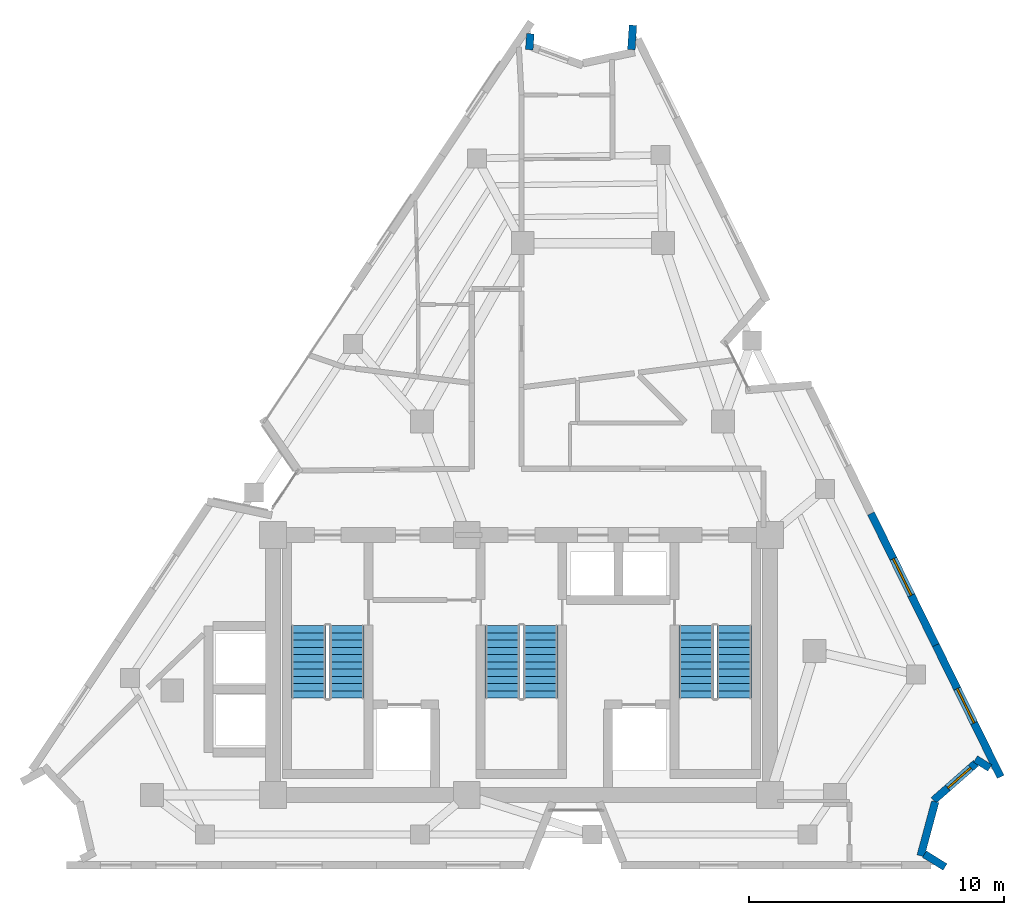
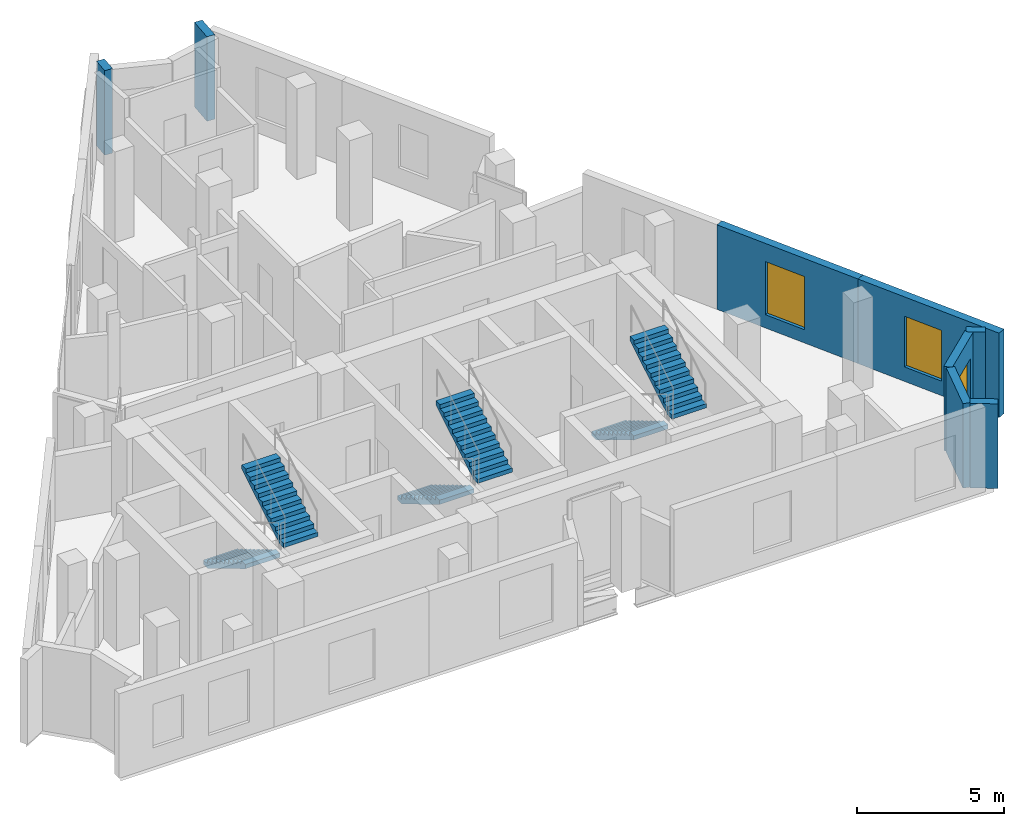
# One storey, part 7 of 8: 8 walls, 6 stair flights, 3 windows, 3 openings, 3 elements without a shape of their own.
"""IFC4 building model written with IfcOpenShell, lengths in metres."""

from ifc_helpers import new_model, si_unit, direction, frame, frame_2d, origin, place, context, subcontext, project, spatial, polyline, rectangle, outline, extrude, material, layer, layer_set, type_object, element, fill, aggregate, save


model = new_model("IFC4")

# Units and contexts
model_context = context("Model", 3, precision=1e-05, world=origin(), true_north=direction((0.0, 1.0)))
body_context = subcontext(model_context, "Body", "Model", "MODEL_VIEW")
ifc_project = project(units=[si_unit("LENGTHUNIT", "METRE"), si_unit("AREAUNIT", "SQUARE_METRE"), si_unit("VOLUMEUNIT", "CUBIC_METRE"), si_unit("PLANEANGLEUNIT", "RADIAN"), si_unit("MASSUNIT", "GRAM", prefix="KILO")], contexts=[model_context])

# Site, building, storey
site_placement = place(None, origin())
site = spatial("IfcSite", under=ifc_project, at=site_placement, CompositionType="ELEMENT")
building_placement = place(site_placement, origin())
building = spatial("IfcBuilding", under=site, at=building_placement, Name="Almagre Mirador Tower", CompositionType="ELEMENT")
storey_placement = place(building_placement, frame((0.0, 0.0, 282.0)))
storey = spatial("IfcBuildingStorey", under=building, at=storey_placement, Name="L73", CompositionType="ELEMENT", Elevation=282.0)

# Walls
ifc_material_1 = material(Name="Precast concrete C50/60", Category="concrete")
ifc_layer = layer(ifc_material_1, 0.300048828125)
ifc_layer_set = layer_set([ifc_layer], Name="Precast concrete C50/60")
wall_type = type_object("IfcWallType", Name="WAL-EXT-300", PredefinedType="SOLIDWALL", material=ifc_layer_set)
wall_1_placement = place(storey_placement, frame((37.649169921875, 34.4189453125, 0.0), z_axis=(0.0, 0.0, 1.0), x_axis=(-0.065490172125, -0.997853214333, 0.0)))
element("IfcWall", 1, at=wall_1_placement, inside=storey, type_object=wall_type, Name="L73 expressed almagre precast frame wall 05", PredefinedType="SOLIDWALL", context=body_context, shape_type="SweptSolid", body=[
    extrude(rectangle(XDim=0.630126953125, YDim=0.300048828125, at=frame_2d((0.31494140625, 0.0))), origin(), (0.0, 0.0, 1.0), 3.5),
])
wall_2_placement = place(storey_placement, frame((41.611083984375, 33.792724609375, 0.0), z_axis=(0.0, 0.0, 1.0), x_axis=(0.065860770899, 0.997828822422, 0.0)))
element("IfcWall", 2, at=wall_2_placement, inside=storey, type_object=wall_type, Name="L73 expressed almagre precast frame wall 08", PredefinedType="SOLIDWALL", context=body_context, shape_type="SweptSolid", body=[
    extrude(rectangle(XDim=0.960205078125, YDim=0.300048828125, at=frame_2d((0.47998046875, 0.0))), origin(), (0.0, 0.0, 1.0), 3.5),
])

# Wall, opening, window
wall_3_placement = place(storey_placement, frame((51.01708984375, 15.593505859375, 0.0), z_axis=(0.0, 0.0, 1.0), x_axis=(0.441265341282, -0.897376675975, 0.0)))
wall_3 = element("IfcWall", 3, at=wall_3_placement, inside=storey, type_object=wall_type, Name="L73 expressed almagre precast frame wall 14", PredefinedType="SOLIDWALL", context=body_context, shape_type="SweptSolid", body=[
    extrude(rectangle(XDim=5.755615234375, YDim=0.300048828125, at=frame_2d((2.8779296875, 0.0))), origin(), (0.0, 0.0, 1.0), 3.5),
])
opening_1_placement = place(wall_3_placement, frame((1.97509765625, 0.0, 0.550048828125)))
opening_1 = element("IfcOpeningElement", 4, at=opening_1_placement, cuts=wall_3, Name="Opening WN-06", PredefinedType="OPENING", context=body_context, shape_type="SweptSolid", body=[
    extrude(rectangle(XDim=1.60009765625, YDim=2.199951171875, at=frame_2d((0.800048828125, 1.10009765625))), frame((0.0, 0.159902, 0.0), z_axis=(0.0, -1.0, 0.0), x_axis=(1.0, 0.0, 0.0)), (0.0, 0.0, 1.0), 0.320049),
])
ifc_material_2 = material(Name="Dark solar-control laminated hurricane glass", Category="glass")
window_type_1 = type_object("IfcWindowType", Name="WIN-1600X2200", PartitioningType="DOUBLE_PANEL_VERTICAL", PredefinedType="WINDOW", material=ifc_material_2)
window_1_placement = place(opening_1_placement, origin())
window_1 = element("IfcWindow", 5, at=window_1_placement, inside=storey, type_object=window_type_1, Name="L73 recessed hurricane window L73-UG-KT", OverallHeight=2.199951171875, OverallWidth=1.60009765625, PartitioningType="SINGLE_PANEL", PredefinedType="WINDOW", context=body_context, shape_type="SweptSolid", body=[
    extrude(rectangle(XDim=1.60009765625, YDim=2.199951171875, at=frame_2d((0.800048828125, 1.10009765625))), frame((0.0, 0.030029296875, 0.0), z_axis=(0.0, -1.0, 0.0), x_axis=(1.0, 0.0, 0.0)), (0.0, 0.0, 1.0), 0.06005859375),
])
fill(opening_1, window_1)

wall_4_placement = place(storey_placement, frame((53.556884765625, 10.428466796875, 0.0), z_axis=(0.0, 0.0, 1.0), x_axis=(0.441265341282, -0.897376675975, 0.0)))
wall_4 = element("IfcWall", 6, at=wall_4_placement, inside=storey, type_object=wall_type, Name="L73 expressed almagre precast frame wall 15", PredefinedType="SOLIDWALL", context=body_context, shape_type="SweptSolid", body=[
    extrude(rectangle(XDim=5.755615234375, YDim=0.300048828125, at=frame_2d((2.8779296875, 0.0))), origin(), (0.0, 0.0, 1.0), 3.5),
])
opening_2_placement = place(wall_4_placement, frame((1.89990234375, 0.0, 0.60009765625)))
opening_2 = element("IfcOpeningElement", 7, at=opening_2_placement, cuts=wall_4, Name="Opening WN-03", PredefinedType="OPENING", context=body_context, shape_type="SweptSolid", body=[
    extrude(rectangle(XDim=1.5, YDim=2.10009765625, at=frame_2d((0.75, 1.050048828125))), frame((0.0, 0.159902, 0.0), z_axis=(0.0, -1.0, 0.0), x_axis=(1.0, 0.0, 0.0)), (0.0, 0.0, 1.0), 0.320049),
])
ifc_material_3 = material(Name="Dark solar-control laminated hurricane glass", Category="glass")
window_type_2 = type_object("IfcWindowType", Name="WIN-1500X2100", PartitioningType="DOUBLE_PANEL_VERTICAL", PredefinedType="WINDOW", material=ifc_material_3)
window_2_placement = place(opening_2_placement, origin())
window_2 = element("IfcWindow", 8, at=window_2_placement, inside=storey, type_object=window_type_2, Name="L73 recessed hurricane window L73-UC-KT", OverallHeight=2.10009765625, OverallWidth=1.5, PartitioningType="SINGLE_PANEL", PredefinedType="WINDOW", context=body_context, shape_type="SweptSolid", body=[
    extrude(rectangle(XDim=1.5, YDim=2.10009765625, at=frame_2d((0.75, 1.050048828125))), frame((0.0, 0.030029296875, 0.0), z_axis=(0.0, -1.0, 0.0), x_axis=(1.0, 0.0, 0.0)), (0.0, 0.0, 1.0), 0.06005859375),
])
fill(opening_2, window_2)

# Wall
wall_5_placement = place(storey_placement, frame((55.67431640625, 5.61376953125, 0.0), z_axis=(0.0, 0.0, 1.0), x_axis=(-0.848455116915, 0.529267337535, 0.0)))
element("IfcWall", 9, at=wall_5_placement, inside=storey, type_object=wall_type, Name="L73 expressed almagre precast frame wall 16", PredefinedType="SOLIDWALL", context=body_context, shape_type="SweptSolid", body=[
    extrude(rectangle(XDim=0.66015625, YDim=0.300048828125, at=frame_2d((0.330078125, 0.0))), origin(), (0.0, 0.0, 1.0), 3.5),
])

# Wall, opening, window
wall_6_placement = place(storey_placement, frame((55.13525390625, 5.80322265625, 0.0), z_axis=(0.0, 0.0, 1.0), x_axis=(-0.751744762281, -0.659454177622, 0.0)))
wall_6 = element("IfcWall", 10, at=wall_6_placement, inside=storey, type_object=wall_type, Name="L73 expressed almagre precast frame wall 17", PredefinedType="SOLIDWALL", context=body_context, shape_type="SweptSolid", body=[
    extrude(rectangle(XDim=2.219482421875, YDim=0.300048828125, at=frame_2d((1.10986328125, 0.0))), origin(), (0.0, 0.0, 1.0), 3.5),
])
opening_3_placement = place(wall_6_placement, frame((0.280029296875, 0.0, 0.800048828125)))
opening_3 = element("IfcOpeningElement", 11, at=opening_3_placement, cuts=wall_6, Name="Opening WN-04", PredefinedType="OPENING", context=body_context, shape_type="SweptSolid", body=[
    extrude(rectangle(XDim=1.199951171875, YDim=1.800048828125, at=frame_2d((0.60009765625, 0.89990234375))), frame((0.0, 0.159902, 0.0), z_axis=(0.0, -1.0, 0.0), x_axis=(1.0, 0.0, 0.0)), (0.0, 0.0, 1.0), 0.320049),
])
ifc_material_4 = material(Name="Dark solar-control laminated hurricane glass", Category="glass")
window_type_3 = type_object("IfcWindowType", Name="WIN-1200X1800", PartitioningType="SINGLE_PANEL", PredefinedType="WINDOW", material=ifc_material_4)
window_3_placement = place(opening_3_placement, origin())
window_3 = element("IfcWindow", 12, at=window_3_placement, inside=storey, type_object=window_type_3, Name="L73 recessed hurricane window L73-UC-KT", OverallHeight=1.800048828125, OverallWidth=1.199951171875, PartitioningType="SINGLE_PANEL", PredefinedType="WINDOW", context=body_context, shape_type="SweptSolid", body=[
    extrude(rectangle(XDim=1.199951171875, YDim=1.800048828125, at=frame_2d((0.60009765625, 0.89990234375))), frame((0.0, 0.030029296875, 0.0), z_axis=(0.0, -1.0, 0.0), x_axis=(1.0, 0.0, 0.0)), (0.0, 0.0, 1.0), 0.06005859375),
])
fill(opening_3, window_3)

# Walls
wall_7_placement = place(storey_placement, frame((53.532958984375, 4.287109375, 0.0), z_axis=(0.0, 0.0, 1.0), x_axis=(-0.259818176463, -0.965657555855, 0.0)))
element("IfcWall", 13, at=wall_7_placement, inside=storey, type_object=wall_type, Name="L73 expressed almagre precast frame wall 18", PredefinedType="SOLIDWALL", context=body_context, shape_type="SweptSolid", body=[
    extrude(rectangle(XDim=2.19873046875, YDim=0.300048828125, at=frame_2d((1.099365234375, 0.0))), origin(), (0.0, 0.0, 1.0), 3.5),
])
wall_8_placement = place(storey_placement, frame((53.1083984375, 2.23046875, 0.0), z_axis=(0.0, 0.0, 1.0), x_axis=(0.849031111495, -0.528342854322, 0.0)))
element("IfcWall", 14, at=wall_8_placement, inside=storey, type_object=wall_type, Name="L73 expressed almagre precast frame wall 19", PredefinedType="SOLIDWALL", context=body_context, shape_type="SweptSolid", body=[
    extrude(rectangle(XDim=0.95458984375, YDim=0.300048828125, at=frame_2d((0.477294921875, 0.0))), origin(), (0.0, 0.0, 1.0), 3.5),
])

# Stair, stair flights
ifc_material_5 = material(Name="Concrete C45/55", Category="concrete")
stair_type = type_object("IfcStairType", Name="STR-DL-3750", PredefinedType="HALF_TURN_STAIR", material=ifc_material_5)
stair_1_placement = place(storey_placement, origin())
stair_1 = element("IfcStair", 15, at=stair_1_placement, inside=storey, type_object=stair_type, Name="L73 Protected exit stair ST-1", PredefinedType="HALF_TURN_STAIR")
ifc_material_6 = material(Name="Concrete C45/55", Category="concrete")
stair_flight_type = type_object("IfcStairFlightType", Name="FLT-DL-3750", PredefinedType="STRAIGHT", material=ifc_material_6)
stair_flight_1_placement = place(storey_placement, frame((28.949951171875, 11.199951171875, 0.0), z_axis=(0.0, 0.0, 1.0), x_axis=(0.0, -1.0, 0.0)))
stair_flight_1 = element("IfcStairFlight", 16, at=stair_flight_1_placement, type_object=stair_flight_type, Name="ST-1 flight 1", NumberOfRisers=11, NumberOfTreads=10, PredefinedType="STRAIGHT", RiserHeight=0.170454545, TreadLength=0.285, context=body_context, shape_type="SweptSolid", body=[
    extrude(outline(polyline([(0.0, 0.0), (0.0, 0.17041015625), (0.284912109375, 0.17041015625), (0.284912109375, 0.3408203125), (0.570068359375, 0.3408203125), (0.570068359375, 0.511474609375), (0.85498046875, 0.511474609375), (0.85498046875, 0.681884765625), (1.139892578125, 0.681884765625), (1.139892578125, 0.852294921875), (1.425048828125, 0.852294921875), (1.425048828125, 1.022705078125), (1.7099609375, 1.022705078125), (1.7099609375, 1.193115234375), (1.9951171875, 1.193115234375), (1.9951171875, 1.363525390625), (2.280029296875, 1.363525390625), (2.280029296875, 1.5341796875), (2.56494140625, 1.5341796875), (2.56494140625, 1.70458984375), (2.85009765625, 1.70458984375), (2.85009765625, 1.875), (2.85009765625, 1.52978515625), (0.2919921875, 0.0), (0.0, 0.0)])), frame((0.0, 0.675048828125, 0.0), z_axis=(0.0, -1.0, 0.0), x_axis=(1.0, 0.0, 0.0)), (0.0, 0.0, 1.0), 1.35009765625),
])
stair_flight_2_placement = place(storey_placement, frame((30.449951171875, 8.35009765625, 1.875), z_axis=(0.0, 0.0, 1.0), x_axis=(0.0, 1.0, 0.0)))
stair_flight_2 = element("IfcStairFlight", 17, at=stair_flight_2_placement, type_object=stair_flight_type, Name="ST-1 flight 2", NumberOfRisers=11, NumberOfTreads=10, PredefinedType="STRAIGHT", RiserHeight=0.170454545, TreadLength=0.285, context=body_context, shape_type="SweptSolid", body=[
    extrude(outline(polyline([(0.0, 0.0), (0.0, 0.17041015625), (0.284912109375, 0.17041015625), (0.284912109375, 0.3408203125), (0.570068359375, 0.3408203125), (0.570068359375, 0.511474609375), (0.85498046875, 0.511474609375), (0.85498046875, 0.681884765625), (1.139892578125, 0.681884765625), (1.139892578125, 0.852294921875), (1.425048828125, 0.852294921875), (1.425048828125, 1.022705078125), (1.7099609375, 1.022705078125), (1.7099609375, 1.193115234375), (1.9951171875, 1.193115234375), (1.9951171875, 1.363525390625), (2.280029296875, 1.363525390625), (2.280029296875, 1.5341796875), (2.56494140625, 1.5341796875), (2.56494140625, 1.70458984375), (2.85009765625, 1.70458984375), (2.85009765625, 1.875), (2.85009765625, 1.52978515625), (0.2919921875, 0.0), (0.0, 0.0)])), frame((0.0, 0.675048828125, 0.0), z_axis=(0.0, -1.0, 0.0), x_axis=(1.0, 0.0, 0.0)), (0.0, 0.0, 1.0), 1.35009765625),
])
aggregate(stair_1, [stair_flight_1, stair_flight_2])

stair_2_placement = place(storey_placement, origin())
stair_2 = element("IfcStair", 18, at=stair_2_placement, inside=storey, type_object=stair_type, Name="L73 Protected exit stair ST-2", PredefinedType="HALF_TURN_STAIR")
stair_flight_3_placement = place(storey_placement, frame((36.550048828125, 11.199951171875, 0.0), z_axis=(0.0, 0.0, 1.0), x_axis=(0.0, -1.0, 0.0)))
stair_flight_3 = element("IfcStairFlight", 19, at=stair_flight_3_placement, type_object=stair_flight_type, Name="ST-2 flight 1", NumberOfRisers=11, NumberOfTreads=10, PredefinedType="STRAIGHT", RiserHeight=0.170454545, TreadLength=0.285, context=body_context, shape_type="SweptSolid", body=[
    extrude(outline(polyline([(0.0, 0.0), (0.0, 0.17041015625), (0.284912109375, 0.17041015625), (0.284912109375, 0.3408203125), (0.570068359375, 0.3408203125), (0.570068359375, 0.511474609375), (0.85498046875, 0.511474609375), (0.85498046875, 0.681884765625), (1.139892578125, 0.681884765625), (1.139892578125, 0.852294921875), (1.425048828125, 0.852294921875), (1.425048828125, 1.022705078125), (1.7099609375, 1.022705078125), (1.7099609375, 1.193115234375), (1.9951171875, 1.193115234375), (1.9951171875, 1.363525390625), (2.280029296875, 1.363525390625), (2.280029296875, 1.5341796875), (2.56494140625, 1.5341796875), (2.56494140625, 1.70458984375), (2.85009765625, 1.70458984375), (2.85009765625, 1.875), (2.85009765625, 1.52978515625), (0.2919921875, 0.0), (0.0, 0.0)])), frame((0.0, 0.675048828125, 0.0), z_axis=(0.0, -1.0, 0.0), x_axis=(1.0, 0.0, 0.0)), (0.0, 0.0, 1.0), 1.35009765625),
])
stair_flight_4_placement = place(storey_placement, frame((38.050048828125, 8.35009765625, 1.875), z_axis=(0.0, 0.0, 1.0), x_axis=(0.0, 1.0, 0.0)))
stair_flight_4 = element("IfcStairFlight", 20, at=stair_flight_4_placement, type_object=stair_flight_type, Name="ST-2 flight 2", NumberOfRisers=11, NumberOfTreads=10, PredefinedType="STRAIGHT", RiserHeight=0.170454545, TreadLength=0.285, context=body_context, shape_type="SweptSolid", body=[
    extrude(outline(polyline([(0.0, 0.0), (0.0, 0.17041015625), (0.284912109375, 0.17041015625), (0.284912109375, 0.3408203125), (0.570068359375, 0.3408203125), (0.570068359375, 0.511474609375), (0.85498046875, 0.511474609375), (0.85498046875, 0.681884765625), (1.139892578125, 0.681884765625), (1.139892578125, 0.852294921875), (1.425048828125, 0.852294921875), (1.425048828125, 1.022705078125), (1.7099609375, 1.022705078125), (1.7099609375, 1.193115234375), (1.9951171875, 1.193115234375), (1.9951171875, 1.363525390625), (2.280029296875, 1.363525390625), (2.280029296875, 1.5341796875), (2.56494140625, 1.5341796875), (2.56494140625, 1.70458984375), (2.85009765625, 1.70458984375), (2.85009765625, 1.875), (2.85009765625, 1.52978515625), (0.2919921875, 0.0), (0.0, 0.0)])), frame((0.0, 0.675048828125, 0.0), z_axis=(0.0, -1.0, 0.0), x_axis=(1.0, 0.0, 0.0)), (0.0, 0.0, 1.0), 1.35009765625),
])
aggregate(stair_2, [stair_flight_3, stair_flight_4])

stair_3_placement = place(storey_placement, origin())
stair_3 = element("IfcStair", 21, at=stair_3_placement, inside=storey, type_object=stair_type, Name="L73 Protected exit stair ST-3", PredefinedType="HALF_TURN_STAIR")
stair_flight_5_placement = place(storey_placement, frame((44.14990234375, 11.199951171875, 0.0), z_axis=(0.0, 0.0, 1.0), x_axis=(0.0, -1.0, 0.0)))
stair_flight_5 = element("IfcStairFlight", 22, at=stair_flight_5_placement, type_object=stair_flight_type, Name="ST-3 flight 1", NumberOfRisers=11, NumberOfTreads=10, PredefinedType="STRAIGHT", RiserHeight=0.170454545, TreadLength=0.285, context=body_context, shape_type="SweptSolid", body=[
    extrude(outline(polyline([(0.0, 0.0), (0.0, 0.17041015625), (0.284912109375, 0.17041015625), (0.284912109375, 0.3408203125), (0.570068359375, 0.3408203125), (0.570068359375, 0.511474609375), (0.85498046875, 0.511474609375), (0.85498046875, 0.681884765625), (1.139892578125, 0.681884765625), (1.139892578125, 0.852294921875), (1.425048828125, 0.852294921875), (1.425048828125, 1.022705078125), (1.7099609375, 1.022705078125), (1.7099609375, 1.193115234375), (1.9951171875, 1.193115234375), (1.9951171875, 1.363525390625), (2.280029296875, 1.363525390625), (2.280029296875, 1.5341796875), (2.56494140625, 1.5341796875), (2.56494140625, 1.70458984375), (2.85009765625, 1.70458984375), (2.85009765625, 1.875), (2.85009765625, 1.52978515625), (0.2919921875, 0.0), (0.0, 0.0)])), frame((0.0, 0.675048828125, 0.0), z_axis=(0.0, -1.0, 0.0), x_axis=(1.0, 0.0, 0.0)), (0.0, 0.0, 1.0), 1.35009765625),
])
stair_flight_6_placement = place(storey_placement, frame((45.64990234375, 8.35009765625, 1.875), z_axis=(0.0, 0.0, 1.0), x_axis=(0.0, 1.0, 0.0)))
stair_flight_6 = element("IfcStairFlight", 23, at=stair_flight_6_placement, type_object=stair_flight_type, Name="ST-3 flight 2", NumberOfRisers=11, NumberOfTreads=10, PredefinedType="STRAIGHT", RiserHeight=0.170454545, TreadLength=0.285, context=body_context, shape_type="SweptSolid", body=[
    extrude(outline(polyline([(0.0, 0.0), (0.0, 0.17041015625), (0.284912109375, 0.17041015625), (0.284912109375, 0.3408203125), (0.570068359375, 0.3408203125), (0.570068359375, 0.511474609375), (0.85498046875, 0.511474609375), (0.85498046875, 0.681884765625), (1.139892578125, 0.681884765625), (1.139892578125, 0.852294921875), (1.425048828125, 0.852294921875), (1.425048828125, 1.022705078125), (1.7099609375, 1.022705078125), (1.7099609375, 1.193115234375), (1.9951171875, 1.193115234375), (1.9951171875, 1.363525390625), (2.280029296875, 1.363525390625), (2.280029296875, 1.5341796875), (2.56494140625, 1.5341796875), (2.56494140625, 1.70458984375), (2.85009765625, 1.70458984375), (2.85009765625, 1.875), (2.85009765625, 1.52978515625), (0.2919921875, 0.0), (0.0, 0.0)])), frame((0.0, 0.675048828125, 0.0), z_axis=(0.0, -1.0, 0.0), x_axis=(1.0, 0.0, 0.0)), (0.0, 0.0, 1.0), 1.35009765625),
])
aggregate(stair_3, [stair_flight_5, stair_flight_6])

save(model, "model.ifc")
